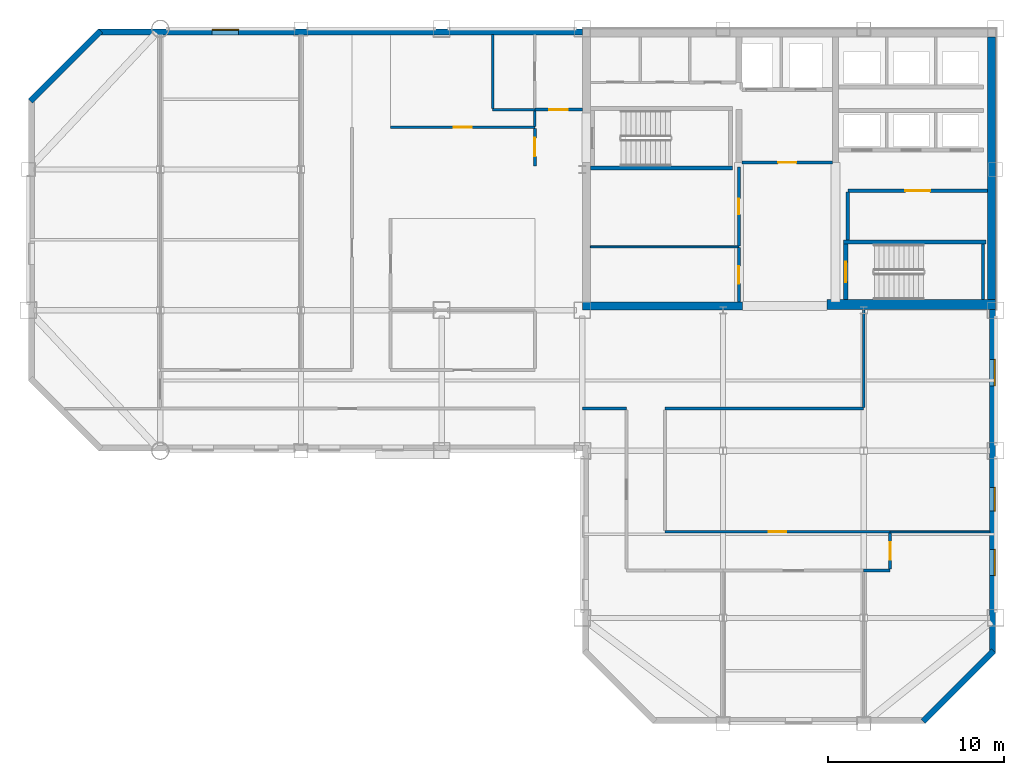
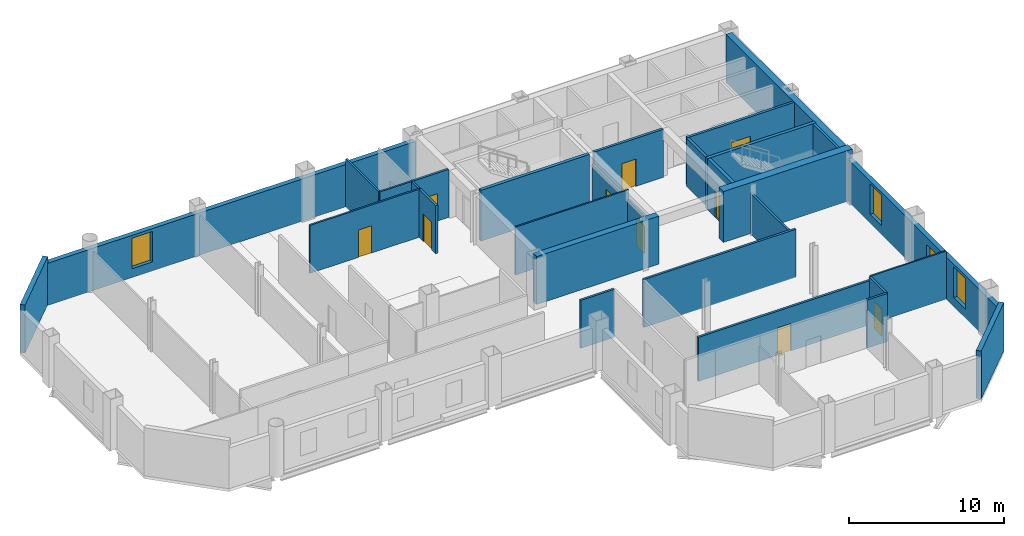
# One storey, part 5 of 9: 30 walls, 10 doors, 4 windows, 14 openings.
"""IFC4 building model written with IfcOpenShell, lengths in metres."""

from ifc_helpers import new_model, si_unit, direction, frame, frame_2d, origin, place, context, subcontext, project, spatial, rectangle, extrude, material, layer, layer_set, type_object, element, fill, save


model = new_model("IFC4")

# Units and contexts
model_context = context("Model", 3, precision=1e-05, world=origin(), true_north=direction((0.0, 1.0)))
body_context = subcontext(model_context, "Body", "Model", "MODEL_VIEW")
ifc_project = project(units=[si_unit("LENGTHUNIT", "METRE"), si_unit("AREAUNIT", "SQUARE_METRE"), si_unit("VOLUMEUNIT", "CUBIC_METRE"), si_unit("PLANEANGLEUNIT", "RADIAN"), si_unit("MASSUNIT", "GRAM", prefix="KILO")], contexts=[model_context])

# Site, building, storey
site_placement = place(None, origin())
site = spatial("IfcSite", under=ifc_project, at=site_placement, CompositionType="ELEMENT")
building_placement = place(site_placement, origin())
building = spatial("IfcBuilding", under=site, at=building_placement, Name="Qianrong Seaharbour Tower", CompositionType="ELEMENT")
storey_placement = place(building_placement, frame((0.0, 0.0, 221.800048828125)))
storey = spatial("IfcBuildingStorey", under=building, at=storey_placement, Name="L53", CompositionType="ELEMENT", Elevation=221.800048828125)

# Walls
ifc_material_1 = material(Name="Concrete C60/75", Category="concrete")
ifc_layer_1 = layer(ifc_material_1, 0.4599609375)
ifc_layer_set_1 = layer_set([ifc_layer_1], Name="Concrete C60/75")
wall_type_1 = type_object("IfcWallType", Name="WALL-CORE-460", PredefinedType="SHEAR", material=ifc_layer_set_1)
wall_1_placement = place(storey_placement, frame((63.77001953125, 36.320068359375, 0.0), z_axis=(0.0, 0.0, 1.0), x_axis=(0.0, 1.0, 0.0)))
element("IfcWall", 1, at=wall_1_placement, inside=storey, type_object=wall_type_1, Name="L53 East Core Shear Wall", PredefinedType="SHEAR", context=body_context, shape_type="SweptSolid", body=[
    extrude(rectangle(XDim=15.219970703125, YDim=0.4599609375, at=frame_2d((7.60986328125, 0.0))), origin(), (0.0, 0.0, 1.0), 3.77490234375),
])
wall_2_placement = place(storey_placement, frame((40.5, 36.22998046875, 0.0), z_axis=(0.0, 0.0, 1.0), x_axis=(1.0, 0.0, 0.0)))
element("IfcWall", 2, at=wall_2_placement, inside=storey, type_object=wall_type_1, Name="L53 South Core Shear Wall S1", PredefinedType="SHEAR", context=body_context, shape_type="SweptSolid", body=[
    extrude(rectangle(XDim=9.10009765625, YDim=0.4599609375, at=frame_2d((4.550048828125, 0.0))), origin(), (0.0, 0.0, 1.0), 3.77490234375),
])
ifc_material_2 = material(Name="Concrete C70/85", Category="concrete")
ifc_layer_2 = layer(ifc_material_2, 0.580078125)
ifc_layer_set_2 = layer_set([ifc_layer_2], Name="Concrete C70/85")
wall_type_2 = type_object("IfcWallType", Name="WALL-CORE-580", PredefinedType="SHEAR", material=ifc_layer_set_2)
wall_3_placement = place(storey_placement, frame((54.39990234375, 36.320068359375, 0.0), z_axis=(0.0, 0.0, 1.0), x_axis=(1.0, 0.0, 0.0)))
element("IfcWall", 3, at=wall_3_placement, inside=storey, type_object=wall_type_2, Name="L53 South Core Shear Wall S3", PredefinedType="SHEAR", context=body_context, shape_type="SweptSolid", body=[
    extrude(rectangle(XDim=9.60009765625, YDim=0.580078125, at=frame_2d((4.800048828125, 0.0))), origin(), (0.0, 0.0, 1.0), 4.0),
])

# Wall, opening, door
ifc_material_3 = material(Name="Fire-rated acoustic gypsum board partition")
ifc_layer_3 = layer(ifc_material_3, 0.1650390625)
ifc_layer_set_3 = layer_set([ifc_layer_3], Name="Fire-rated acoustic gypsum board partition")
wall_type_3 = type_object("IfcWallType", Name="WALL-CORR-PART-165", PredefinedType="PARTITIONING", material=ifc_layer_set_3)
wall_4_placement = place(storey_placement, frame((37.800048828125, 47.39990234375, 0.0), z_axis=(0.0, 0.0, 1.0), x_axis=(1.0, 0.0, 0.0)))
wall_4 = element("IfcWall", 4, at=wall_4_placement, inside=storey, type_object=wall_type_3, Name="L53 Interior Partition Wall 001", PredefinedType="PARTITIONING", context=body_context, shape_type="SweptSolid", body=[
    extrude(rectangle(XDim=2.699951171875, YDim=0.1650390625, at=frame_2d((1.35009765625, 0.0))), origin(), (0.0, 0.0, 1.0), 3.77490234375),
])
opening_1_placement = place(wall_4_placement, frame((0.824951171875, 0.0, 0.0)))
opening_1 = element("IfcOpeningElement", 5, at=opening_1_placement, cuts=wall_4, Name="Opening DC-01", PredefinedType="OPENING", context=body_context, shape_type="SweptSolid", body=[
    extrude(rectangle(XDim=1.050048828125, YDim=2.14990234375, at=frame_2d((0.52490234375, 1.074951171875))), frame((0.0, 0.092529296875, 0.0), z_axis=(0.0, -1.0, 0.0), x_axis=(1.0, 0.0, 0.0)), (0.0, 0.0, 1.0), 0.18505859375),
])
ifc_material_4 = material(Name="Acoustic timber and galvanized steel fire door assembly", Category="steel")
door_type_1 = type_object("IfcDoorType", Name="DOOR-CORR-FD60-1050x2150", OperationType="NOTDEFINED", PredefinedType="DOOR", material=ifc_material_4)
door_1_placement = place(opening_1_placement, origin())
door_1 = element("IfcDoor", 6, at=door_1_placement, inside=storey, type_object=door_type_1, Name="L53 Smokeproof Stair Vestibule ST-1 Door", OperationType="SINGLE_SWING_LEFT", OverallHeight=2.14990234375, OverallWidth=1.050048828125, PredefinedType="DOOR", context=body_context, shape_type="SweptSolid", body=[
    extrude(rectangle(XDim=1.050048828125, YDim=2.14990234375, at=frame_2d((0.52490234375, 1.074951171875))), frame((0.0, 0.02490234375, 0.0), z_axis=(0.0, -1.0, 0.0), x_axis=(1.0, 0.0, 0.0)), (0.0, 0.0, 1.0), 0.050048828125),
])
fill(opening_1, door_1)

wall_5_placement = place(storey_placement, frame((37.800048828125, 44.199951171875, 0.0), z_axis=(0.0, 0.0, 1.0), x_axis=(0.0, 1.0, 0.0)))
wall_5 = element("IfcWall", 7, at=wall_5_placement, inside=storey, type_object=wall_type_3, Name="L53 Interior Partition Wall 002", PredefinedType="PARTITIONING", context=body_context, shape_type="SweptSolid", body=[
    extrude(rectangle(XDim=2.14306640625, YDim=0.1650390625, at=frame_2d((1.071533203125, 0.0))), origin(), (0.0, 0.0, 1.0), 3.77490234375),
])
opening_2_placement = place(wall_5_placement, frame((0.54638671875, 0.0, 0.0)))
opening_2 = element("IfcOpeningElement", 8, at=opening_2_placement, cuts=wall_5, Name="Opening DC-01", PredefinedType="OPENING", context=body_context, shape_type="SweptSolid", body=[
    extrude(rectangle(XDim=1.050048828125, YDim=2.14990234375, at=frame_2d((0.52490234375, 1.074951171875))), frame((0.0, 0.092529296875, 0.0), z_axis=(0.0, -1.0, 0.0), x_axis=(1.0, 0.0, 0.0)), (0.0, 0.0, 1.0), 0.18505859375),
])
door_2_placement = place(opening_2_placement, origin())
door_2 = element("IfcDoor", 9, at=door_2_placement, inside=storey, type_object=door_type_1, Name="L53 Smokeproof Stair Vestibule ST-1 Door", OperationType="SINGLE_SWING_RIGHT", OverallHeight=2.14990234375, OverallWidth=1.050048828125, PredefinedType="DOOR", context=body_context, shape_type="SweptSolid", body=[
    extrude(rectangle(XDim=1.050048828125, YDim=2.14990234375, at=frame_2d((0.52490234375, 1.074951171875))), frame((0.0, 0.02490234375, 0.0), z_axis=(0.0, -1.0, 0.0), x_axis=(1.0, 0.0, 0.0)), (0.0, 0.0, 1.0), 0.050048828125),
])
fill(opening_2, door_2)

wall_6_placement = place(storey_placement, frame((49.39990234375, 36.4599609375, 0.0), z_axis=(0.0, 0.0, 1.0), x_axis=(0.0, 1.0, 0.0)))
wall_6 = element("IfcWall", 10, at=wall_6_placement, inside=storey, type_object=wall_type_3, Name="L53 Interior Partition Wall 011", PredefinedType="PARTITIONING", context=body_context, shape_type="SweptSolid", body=[
    extrude(rectangle(XDim=3.093017578125, YDim=0.1650390625, at=frame_2d((1.54638671875, 0.0))), origin(), (0.0, 0.0, 1.0), 3.016845703125),
])
opening_3_placement = place(wall_6_placement, frame((1.04638671875, 0.0, 0.0)))
opening_3 = element("IfcOpeningElement", 11, at=opening_3_placement, cuts=wall_6, Name="Opening DO-01", PredefinedType="OPENING", context=body_context, shape_type="SweptSolid", body=[
    extrude(rectangle(XDim=1.0, YDim=2.14990234375, at=frame_2d((0.5, 1.074951171875))), frame((0.0, 0.092529296875, 0.0), z_axis=(0.0, -1.0, 0.0), x_axis=(1.0, 0.0, 0.0)), (0.0, 0.0, 1.0), 0.18505859375),
])
door_type_2 = type_object("IfcDoorType", Name="DOOR-OFFICE-1000x2150", OperationType="NOTDEFINED", PredefinedType="DOOR", material=ifc_material_4)
door_3_placement = place(opening_3_placement, origin())
door_3 = element("IfcDoor", 12, at=door_3_placement, inside=storey, type_object=door_type_2, Name="L53 Wellness Room Door", OperationType="SINGLE_SWING_LEFT", OverallHeight=2.14990234375, OverallWidth=1.0, PredefinedType="DOOR", context=body_context, shape_type="SweptSolid", body=[
    extrude(rectangle(XDim=1.0, YDim=2.14990234375, at=frame_2d((0.5, 1.074951171875))), frame((0.0, 0.02490234375, 0.0), z_axis=(0.0, -1.0, 0.0), x_axis=(1.0, 0.0, 0.0)), (0.0, 0.0, 1.0), 0.050048828125),
])
fill(opening_3, door_3)

wall_7_placement = place(storey_placement, frame((49.39990234375, 39.64697265625, 0.0), z_axis=(0.0, 0.0, 1.0), x_axis=(0.0, 1.0, 0.0)))
wall_7 = element("IfcWall", 13, at=wall_7_placement, inside=storey, type_object=wall_type_3, Name="L53 Interior Partition Wall 012", PredefinedType="PARTITIONING", context=body_context, shape_type="SweptSolid", body=[
    extrude(rectangle(XDim=4.5029296875, YDim=0.1650390625, at=frame_2d((2.25146484375, 0.0))), origin(), (0.0, 0.0, 1.0), 3.016845703125),
])
opening_4_placement = place(wall_7_placement, frame((1.801513671875, 0.0, 0.0)))
opening_4 = element("IfcOpeningElement", 14, at=opening_4_placement, cuts=wall_7, Name="Opening DS-01", PredefinedType="OPENING", context=body_context, shape_type="SweptSolid", body=[
    extrude(rectangle(XDim=0.89990234375, YDim=2.14990234375, at=frame_2d((0.449951171875, 1.074951171875))), frame((0.0, 0.092529296875, 0.0), z_axis=(0.0, -1.0, 0.0), x_axis=(1.0, 0.0, 0.0)), (0.0, 0.0, 1.0), 0.18505859375),
])
door_type_3 = type_object("IfcDoorType", Name="DOOR-STORE-900x2150", OperationType="NOTDEFINED", PredefinedType="DOOR", material=ifc_material_4)
door_4_placement = place(opening_4_placement, origin())
door_4 = element("IfcDoor", 15, at=door_4_placement, inside=storey, type_object=door_type_3, Name="L53 Equipment Store Room Door", OperationType="SINGLE_SWING_RIGHT", OverallHeight=2.14990234375, OverallWidth=0.89990234375, PredefinedType="DOOR", context=body_context, shape_type="SweptSolid", body=[
    extrude(rectangle(XDim=0.89990234375, YDim=2.14990234375, at=frame_2d((0.449951171875, 1.074951171875))), frame((0.0, 0.02490234375, 0.0), z_axis=(0.0, -1.0, 0.0), x_axis=(1.0, 0.0, 0.0)), (0.0, 0.0, 1.0), 0.050048828125),
])
fill(opening_4, door_4)

# Walls
wall_8_placement = place(storey_placement, frame((56.5, 36.0, 0.0), z_axis=(0.0, 0.0, 1.0), x_axis=(0.0, -1.0, 0.0)))
element("IfcWall", 16, at=wall_8_placement, inside=storey, type_object=wall_type_3, Name="L53 Interior Partition Wall 027", PredefinedType="PARTITIONING", context=body_context, shape_type="SweptSolid", body=[
    extrude(rectangle(XDim=5.525390625, YDim=0.1650390625, at=frame_2d((2.7626953125, 0.0))), origin(), (0.0, 0.0, 1.0), 3.178955078125),
])
wall_9_placement = place(storey_placement, frame((56.5, 30.39990234375, 0.0), z_axis=(0.0, 0.0, 1.0), x_axis=(-1.0, 0.0, 0.0)))
element("IfcWall", 17, at=wall_9_placement, inside=storey, type_object=wall_type_3, Name="L53 Interior Partition Wall 028", PredefinedType="PARTITIONING", context=body_context, shape_type="SweptSolid", body=[
    extrude(rectangle(XDim=11.300048828125, YDim=0.1650390625, at=frame_2d((5.64990234375, 0.0))), origin(), (0.0, 0.0, 1.0), 3.77490234375),
])
wall_10_placement = place(storey_placement, frame((43.0, 30.39990234375, 0.0), z_axis=(0.0, 0.0, 1.0), x_axis=(-1.0, 0.0, 0.0)))
element("IfcWall", 18, at=wall_10_placement, inside=storey, type_object=wall_type_3, Name="L53 Interior Partition Wall 030", PredefinedType="PARTITIONING", context=body_context, shape_type="SweptSolid", body=[
    extrude(rectangle(XDim=2.5, YDim=0.1650390625, at=frame_2d((1.25, 0.0))), origin(), (0.0, 0.0, 1.0), 3.77490234375),
])

# Wall, opening, door
wall_11_placement = place(storey_placement, frame((45.199951171875, 23.39990234375, 0.0), z_axis=(0.0, 0.0, 1.0), x_axis=(1.0, 0.0, 0.0)))
wall_11 = element("IfcWall", 19, at=wall_11_placement, inside=storey, type_object=wall_type_3, Name="L53 Interior Partition Wall 034", PredefinedType="PARTITIONING", context=body_context, shape_type="SweptSolid", body=[
    extrude(rectangle(XDim=12.800048828125, YDim=0.1650390625, at=frame_2d((6.39990234375, 0.0))), origin(), (0.0, 0.0, 1.0), 3.467041015625),
])
opening_5_placement = place(wall_11_placement, frame((5.89990234375, 0.0, 0.0)))
opening_5 = element("IfcOpeningElement", 20, at=opening_5_placement, cuts=wall_11, Name="Opening DO-01", PredefinedType="OPENING", context=body_context, shape_type="SweptSolid", body=[
    extrude(rectangle(XDim=1.0, YDim=2.14990234375, at=frame_2d((0.5, 1.074951171875))), frame((0.0, 0.092529296875, 0.0), z_axis=(0.0, -1.0, 0.0), x_axis=(1.0, 0.0, 0.0)), (0.0, 0.0, 1.0), 0.18505859375),
])
door_5_placement = place(opening_5_placement, origin())
door_5 = element("IfcDoor", 21, at=door_5_placement, inside=storey, type_object=door_type_2, Name="L53 South Wing Open-Plan Office Door", OperationType="SINGLE_SWING_RIGHT", OverallHeight=2.14990234375, OverallWidth=1.0, PredefinedType="DOOR", context=body_context, shape_type="SweptSolid", body=[
    extrude(rectangle(XDim=1.0, YDim=2.14990234375, at=frame_2d((0.5, 1.074951171875))), frame((0.0, 0.02490234375, 0.0), z_axis=(0.0, -1.0, 0.0), x_axis=(1.0, 0.0, 0.0)), (0.0, 0.0, 1.0), 0.050048828125),
])
fill(opening_5, door_5)

wall_12_placement = place(storey_placement, frame((58.0, 23.325439453125, 0.0), z_axis=(0.0, 0.0, 1.0), x_axis=(0.0, -1.0, 0.0)))
wall_12 = element("IfcWall", 22, at=wall_12_placement, inside=storey, type_object=wall_type_3, Name="L53 Interior Partition Wall 037", PredefinedType="PARTITIONING", context=body_context, shape_type="SweptSolid", body=[
    extrude(rectangle(XDim=2.051025390625, YDim=0.1650390625, at=frame_2d((1.025390625, 0.0))), origin(), (0.0, 0.0, 1.0), 3.77490234375),
])
opening_6_placement = place(wall_12_placement, frame((0.525390625, 0.0, 0.0)))
opening_6 = element("IfcOpeningElement", 23, at=opening_6_placement, cuts=wall_12, Name="Opening DO-01", PredefinedType="OPENING", context=body_context, shape_type="SweptSolid", body=[
    extrude(rectangle(XDim=1.0, YDim=2.14990234375, at=frame_2d((0.5, 1.074951171875))), frame((0.0, 0.092529296875, 0.0), z_axis=(0.0, -1.0, 0.0), x_axis=(1.0, 0.0, 0.0)), (0.0, 0.0, 1.0), 0.18505859375),
])
door_6_placement = place(opening_6_placement, origin())
door_6 = element("IfcDoor", 24, at=door_6_placement, inside=storey, type_object=door_type_2, Name="L53 Standards Library 3 Door", OperationType="SINGLE_SWING_RIGHT", OverallHeight=2.14990234375, OverallWidth=1.0, PredefinedType="DOOR", context=body_context, shape_type="SweptSolid", body=[
    extrude(rectangle(XDim=1.0, YDim=2.14990234375, at=frame_2d((0.5, 1.074951171875))), frame((0.0, 0.02490234375, 0.0), z_axis=(0.0, -1.0, 0.0), x_axis=(1.0, 0.0, 0.0)), (0.0, 0.0, 1.0), 0.050048828125),
])
fill(opening_6, door_6)

# Walls
wall_13_placement = place(storey_placement, frame((58.0, 21.199951171875, 0.0), z_axis=(0.0, 0.0, 1.0), x_axis=(-1.0, 0.0, 0.0)))
element("IfcWall", 25, at=wall_13_placement, inside=storey, type_object=wall_type_3, Name="L53 Interior Partition Wall 038", PredefinedType="PARTITIONING", context=body_context, shape_type="SweptSolid", body=[
    extrude(rectangle(XDim=1.5, YDim=0.1650390625, at=frame_2d((0.75, 0.0))), origin(), (0.0, 0.0, 1.0), 3.77490234375),
])
ifc_material_5 = material(Name="Demountable aluminium-framed acoustic office partition", Category="aluminium")
ifc_layer_4 = layer(ifc_material_5, 0.110107421875)
ifc_layer_set_4 = layer_set([ifc_layer_4], Name="Demountable aluminium-framed acoustic office partition")
wall_type_4 = type_object("IfcWallType", Name="WALL-DEMOUNT-110", PredefinedType="MOVABLE", material=ifc_layer_set_4)
wall_14_placement = place(storey_placement, frame((40.9599609375, 39.60009765625, 0.0), z_axis=(0.0, 0.0, 1.0), x_axis=(1.0, 0.0, 0.0)))
element("IfcWall", 26, at=wall_14_placement, inside=storey, type_object=wall_type_4, Name="L53 Interior Partition Wall 014", PredefinedType="MOVABLE", context=body_context, shape_type="SweptSolid", body=[
    extrude(rectangle(XDim=8.43994140625, YDim=0.110107421875, at=frame_2d((4.219970703125, 0.0))), origin(), (0.0, 0.0, 1.0), 3.77490234375),
])
wall_15_placement = place(storey_placement, frame((63.66796875, 23.39990234375, 0.0), z_axis=(0.0, 0.0, 1.0), x_axis=(-1.0, 0.0, 0.0)))
element("IfcWall", 27, at=wall_15_placement, inside=storey, type_object=wall_type_4, Name="L53 Interior Partition Wall 039", PredefinedType="MOVABLE", context=body_context, shape_type="SweptSolid", body=[
    extrude(rectangle(XDim=5.66796875, YDim=0.110107421875, at=frame_2d((2.833984375, 0.0))), origin(), (0.0, 0.0, 1.0), 3.77490234375),
])
ifc_material_6 = material(Name="Unitised buff brick on Precast concrete C45/55", Category="masonry")
ifc_layer_5 = layer(ifc_material_6, 0.340087890625)
ifc_layer_set_5 = layer_set([ifc_layer_5], Name="Unitised buff brick on Precast concrete C45/55")
wall_type_5 = type_object("IfcWallType", Name="WALL-EXT-BRICK-BUFF-340", PredefinedType="SOLIDWALL", material=ifc_layer_set_5)
wall_16_placement = place(storey_placement, frame((9.1201171875, 47.8798828125, 0.0), z_axis=(0.0, 0.0, 1.0), x_axis=(0.707106781187, 0.707106781187, 0.0)))
element("IfcWall", 28, at=wall_16_placement, inside=storey, type_object=wall_type_5, Name="L53 Exterior Masonry Facade Wall E04", PredefinedType="SOLIDWALL", context=body_context, shape_type="SweptSolid", body=[
    extrude(rectangle(XDim=5.65673828125, YDim=0.340087890625, at=frame_2d((2.828369140625, 0.0))), origin(), (0.0, 0.0, 1.0), 3.77490234375),
])

# Wall, opening, window
wall_17_placement = place(storey_placement, frame((13.0, 51.830078125, 0.0), z_axis=(0.0, 0.0, 1.0), x_axis=(1.0, 0.0, 0.0)))
wall_17 = element("IfcWall", 29, at=wall_17_placement, inside=storey, type_object=wall_type_5, Name="L53 Exterior Masonry Facade Wall NORTH_WING", PredefinedType="SOLIDWALL", context=body_context, shape_type="SweptSolid", body=[
    extrude(rectangle(XDim=27.52001953125, YDim=0.340087890625, at=frame_2d((13.760009765625, 0.0))), origin(), (0.0, 0.0, 1.0), 3.324951171875),
])
opening_7_placement = place(wall_17_placement, frame((6.449951171875, 0.0, 0.699951171875)))
opening_7 = element("IfcOpeningElement", 30, at=opening_7_placement, cuts=wall_17, Name="Opening WN-08", PredefinedType="OPENING", context=body_context, shape_type="SweptSolid", body=[
    extrude(rectangle(XDim=1.5, YDim=2.39990234375, at=frame_2d((0.75, 1.199951171875))), frame((0.0, 0.18017578125, 0.0), z_axis=(0.0, -1.0, 0.0), x_axis=(1.0, 0.0, 0.0)), (0.0, 0.0, 1.0), 0.360107421875),
])
ifc_material_7 = material(Name="Insulated low-e double glazing in thermally broken aluminium 6063-T6 frame", Category="aluminium")
window_type_1 = type_object("IfcWindowType", Name="WIN-PUNCH-1500x2400", PartitioningType="DOUBLE_PANEL_HORIZONTAL", PredefinedType="WINDOW", material=ifc_material_7)
window_1_placement = place(opening_7_placement, origin())
window_1 = element("IfcWindow", 31, at=window_1_placement, inside=storey, type_object=window_type_1, Name="L53 Deep-Set Punched Window 05.02", OverallHeight=2.39990234375, OverallWidth=1.5, PartitioningType="DOUBLE_PANEL_HORIZONTAL", PredefinedType="WINDOW", context=body_context, shape_type="SweptSolid", body=[
    extrude(rectangle(XDim=1.5, YDim=2.39990234375, at=frame_2d((0.75, 1.199951171875))), frame((0.0, 0.150146484375, 0.0), z_axis=(0.0, -1.0, 0.0), x_axis=(1.0, 0.0, 0.0)), (0.0, 0.0, 1.0), 0.06005859375),
])
fill(opening_7, window_1)

# Wall, openings, windows
wall_18_placement = place(storey_placement, frame((63.830078125, 36.050048828125, 0.0), z_axis=(0.0, 0.0, 1.0), x_axis=(0.0, -1.0, 0.0)))
wall_18 = element("IfcWall", 32, at=wall_18_placement, inside=storey, type_object=wall_type_5, Name="L53 Exterior Masonry Facade Wall EAST_WING", PredefinedType="SOLIDWALL", context=body_context, shape_type="SweptSolid", body=[
    extrude(rectangle(XDim=19.550048828125, YDim=0.340087890625, at=frame_2d((9.77490234375, 0.0))), origin(), (0.0, 0.0, 1.0), 3.324951171875),
])
opening_8_placement = place(wall_18_placement, frame((2.85009765625, 0.0, 0.699951171875)))
opening_8 = element("IfcOpeningElement", 33, at=opening_8_placement, cuts=wall_18, Name="Opening WN-08", PredefinedType="OPENING", context=body_context, shape_type="SweptSolid", body=[
    extrude(rectangle(XDim=1.5, YDim=2.39990234375, at=frame_2d((0.75, 1.199951171875))), frame((0.0, 0.18017578125, 0.0), z_axis=(0.0, -1.0, 0.0), x_axis=(1.0, 0.0, 0.0)), (0.0, 0.0, 1.0), 0.360107421875),
])
opening_9_placement = place(wall_18_placement, frame((10.125, 0.0, 0.89990234375)))
opening_9 = element("IfcOpeningElement", 34, at=opening_9_placement, cuts=wall_18, Name="Opening WN-02", PredefinedType="OPENING", context=body_context, shape_type="SweptSolid", body=[
    extrude(rectangle(XDim=1.35009765625, YDim=1.85009765625, at=frame_2d((0.675048828125, 0.925048828125))), frame((0.0, 0.18017578125, 0.0), z_axis=(0.0, -1.0, 0.0), x_axis=(1.0, 0.0, 0.0)), (0.0, 0.0, 1.0), 0.360107421875),
])
opening_10_placement = place(wall_18_placement, frame((13.64990234375, 0.0, 0.699951171875)))
opening_10 = element("IfcOpeningElement", 35, at=opening_10_placement, cuts=wall_18, Name="Opening WN-08", PredefinedType="OPENING", context=body_context, shape_type="SweptSolid", body=[
    extrude(rectangle(XDim=1.5, YDim=2.39990234375, at=frame_2d((0.75, 1.199951171875))), frame((0.0, 0.18017578125, 0.0), z_axis=(0.0, -1.0, 0.0), x_axis=(1.0, 0.0, 0.0)), (0.0, 0.0, 1.0), 0.360107421875),
])
window_type_2 = type_object("IfcWindowType", Name="WIN-PUNCH-1350x1850", PartitioningType="DOUBLE_PANEL_VERTICAL", PredefinedType="WINDOW", material=ifc_material_7)
window_2_placement = place(opening_9_placement, origin())
window_2 = element("IfcWindow", 36, at=window_2_placement, inside=storey, type_object=window_type_2, Name="L53 Deep-Set Punched Window 06.03", OverallHeight=1.85009765625, OverallWidth=1.35009765625, PartitioningType="DOUBLE_PANEL_VERTICAL", PredefinedType="WINDOW", context=body_context, shape_type="SweptSolid", body=[
    extrude(rectangle(XDim=1.35009765625, YDim=1.85009765625, at=frame_2d((0.675048828125, 0.925048828125))), frame((0.0, 0.150146484375, 0.0), z_axis=(0.0, -1.0, 0.0), x_axis=(1.0, 0.0, 0.0)), (0.0, 0.0, 1.0), 0.06005859375),
])
fill(opening_9, window_2)
window_3_placement = place(opening_8_placement, origin())
window_3 = element("IfcWindow", 37, at=window_3_placement, inside=storey, type_object=window_type_1, Name="L53 Deep-Set Punched Window 06.01", OverallHeight=2.39990234375, OverallWidth=1.5, PartitioningType="DOUBLE_PANEL_HORIZONTAL", PredefinedType="WINDOW", context=body_context, shape_type="SweptSolid", body=[
    extrude(rectangle(XDim=1.5, YDim=2.39990234375, at=frame_2d((0.75, 1.199951171875))), frame((0.0, 0.150146484375, 0.0), z_axis=(0.0, -1.0, 0.0), x_axis=(1.0, 0.0, 0.0)), (0.0, 0.0, 1.0), 0.06005859375),
])
fill(opening_8, window_3)
window_4_placement = place(opening_10_placement, origin())
window_4 = element("IfcWindow", 38, at=window_4_placement, inside=storey, type_object=window_type_1, Name="L53 Deep-Set Punched Window 06.04", OverallHeight=2.39990234375, OverallWidth=1.5, PartitioningType="DOUBLE_PANEL_HORIZONTAL", PredefinedType="WINDOW", context=body_context, shape_type="SweptSolid", body=[
    extrude(rectangle(XDim=1.5, YDim=2.39990234375, at=frame_2d((0.75, 1.199951171875))), frame((0.0, 0.150146484375, 0.0), z_axis=(0.0, -1.0, 0.0), x_axis=(1.0, 0.0, 0.0)), (0.0, 0.0, 1.0), 0.06005859375),
])
fill(opening_10, window_4)

# Wall
wall_19_placement = place(storey_placement, frame((63.8798828125, 16.6201171875, 0.0), z_axis=(0.0, 0.0, 1.0), x_axis=(-0.707106781187, -0.707106781187, 0.0)))
element("IfcWall", 39, at=wall_19_placement, inside=storey, type_object=wall_type_5, Name="L53 Exterior Masonry Facade Wall E07", PredefinedType="SOLIDWALL", context=body_context, shape_type="SweptSolid", body=[
    extrude(rectangle(XDim=5.65673828125, YDim=0.340087890625, at=frame_2d((2.828369140625, 0.0))), origin(), (0.0, 0.0, 1.0), 3.77490234375),
])

# Wall, opening, door
ifc_material_8 = material(Name="Double fire-rated gypsum board acoustic partition")
ifc_layer_6 = layer(ifc_material_8, 0.18994140625)
ifc_layer_set_6 = layer_set([ifc_layer_6], Name="Double fire-rated gypsum board acoustic partition")
wall_type_6 = type_object("IfcWallType", Name="WALL-FIRE-PART-190", PredefinedType="PARTITIONING", material=ifc_layer_set_6)
wall_20_placement = place(storey_placement, frame((54.73291015625, 44.39990234375, 0.0), z_axis=(0.0, 0.0, 1.0), x_axis=(-1.0, 0.0, 0.0)))
wall_20 = element("IfcWall", 40, at=wall_20_placement, inside=storey, type_object=wall_type_6, Name="L53 Interior Partition Wall 010", PredefinedType="PARTITIONING", context=body_context, shape_type="SweptSolid", body=[
    extrude(rectangle(XDim=5.166015625, YDim=0.18994140625, at=frame_2d((2.5830078125, 0.0))), origin(), (0.0, 0.0, 1.0), 3.77490234375),
])
opening_11_placement = place(wall_20_placement, frame((2.05810546875, 0.0, 0.0)))
opening_11 = element("IfcOpeningElement", 41, at=opening_11_placement, cuts=wall_20, Name="Opening DC-01", PredefinedType="OPENING", context=body_context, shape_type="SweptSolid", body=[
    extrude(rectangle(XDim=1.050048828125, YDim=2.14990234375, at=frame_2d((0.52490234375, 1.074951171875))), frame((0.0, 0.10498046875, 0.0), z_axis=(0.0, -1.0, 0.0), x_axis=(1.0, 0.0, 0.0)), (0.0, 0.0, 1.0), 0.2099609375),
])
door_7_placement = place(opening_11_placement, origin())
door_7 = element("IfcDoor", 42, at=door_7_placement, inside=storey, type_object=door_type_1, Name="L53 Firefighting Lift Lobby Door", OperationType="SINGLE_SWING_RIGHT", OverallHeight=2.14990234375, OverallWidth=1.050048828125, PredefinedType="DOOR", context=body_context, shape_type="SweptSolid", body=[
    extrude(rectangle(XDim=1.050048828125, YDim=2.14990234375, at=frame_2d((0.52490234375, 1.074951171875))), frame((0.0, 0.02490234375, 0.0), z_axis=(0.0, -1.0, 0.0), x_axis=(1.0, 0.0, 0.0)), (0.0, 0.0, 1.0), 0.050048828125),
])
fill(opening_11, door_7)

# Wall
wall_21_placement = place(storey_placement, frame((55.60009765625, 42.712890625, 0.0), z_axis=(0.0, 0.0, 1.0), x_axis=(0.0, -1.0, 0.0)))
element("IfcWall", 43, at=wall_21_placement, inside=storey, type_object=wall_type_6, Name="L53 Interior Partition Wall 013", PredefinedType="PARTITIONING", context=body_context, shape_type="SweptSolid", body=[
    extrude(rectangle(XDim=2.73095703125, YDim=0.18994140625, at=frame_2d((1.365478515625, 0.0))), origin(), (0.0, 0.0, 1.0), 3.77490234375),
])

# Wall, opening, door
wall_22_placement = place(storey_placement, frame((63.5400390625, 42.800048828125, 0.0), z_axis=(0.0, 0.0, 1.0), x_axis=(-1.0, 0.0, 0.0)))
wall_22 = element("IfcWall", 44, at=wall_22_placement, inside=storey, type_object=wall_type_6, Name="L53 Interior Partition Wall 015", PredefinedType="PARTITIONING", context=body_context, shape_type="SweptSolid", body=[
    extrude(rectangle(XDim=7.93994140625, YDim=0.18994140625, at=frame_2d((3.969970703125, 0.0))), origin(), (0.0, 0.0, 1.0), 3.77490234375),
])
opening_12_placement = place(wall_22_placement, frame((3.27001953125, 0.0, 0.0)))
opening_12 = element("IfcOpeningElement", 45, at=opening_12_placement, cuts=wall_22, Name="Opening DP-01", PredefinedType="OPENING", context=body_context, shape_type="SweptSolid", body=[
    extrude(rectangle(XDim=1.39990234375, YDim=2.25, at=frame_2d((0.699951171875, 1.125))), frame((0.0, 0.10498046875, 0.0), z_axis=(0.0, -1.0, 0.0), x_axis=(1.0, 0.0, 0.0)), (0.0, 0.0, 1.0), 0.2099609375),
])
door_type_4 = type_object("IfcDoorType", Name="DOOR-PLANT-PAIR-1400x2250", OperationType="DOUBLE_DOOR_SINGLE_SWING", PredefinedType="DOOR", material=ifc_material_4)
door_8_placement = place(opening_12_placement, origin())
door_8 = element("IfcDoor", 46, at=door_8_placement, inside=storey, type_object=door_type_4, Name="L53 Core Telecom Hub Room Door", OperationType="DOUBLE_DOOR_SINGLE_SWING", OverallHeight=2.25, OverallWidth=1.39990234375, PredefinedType="DOOR", context=body_context, shape_type="SweptSolid", body=[
    extrude(rectangle(XDim=1.39990234375, YDim=2.25, at=frame_2d((0.699951171875, 1.125))), frame((0.0, 0.02490234375, 0.0), z_axis=(0.0, -1.0, 0.0), x_axis=(1.0, 0.0, 0.0)), (0.0, 0.0, 1.0), 0.050048828125),
])
fill(opening_12, door_8)

# Walls
ifc_material_9 = material(Name="Concrete C50/60", Category="concrete")
ifc_layer_7 = layer(ifc_material_9, 0.239990234375)
ifc_layer_set_7 = layer_set([ifc_layer_7], Name="Concrete C50/60")
wall_type_7 = type_object("IfcWallType", Name="WALL-SHAFT-RC240", PredefinedType="SOLIDWALL", material=ifc_layer_set_7)
wall_23_placement = place(storey_placement, frame((49.0400390625, 44.080078125, 0.0), z_axis=(0.0, 0.0, 1.0), x_axis=(-1.0, 0.0, 0.0)))
element("IfcWall", 47, at=wall_23_placement, inside=storey, type_object=wall_type_7, Name="L53 ST-1 Structural Stair Core Wall S", PredefinedType="SOLIDWALL", context=body_context, shape_type="SweptSolid", body=[
    extrude(rectangle(XDim=8.080078125, YDim=0.239990234375, at=frame_2d((4.0400390625, 0.0))), origin(), (0.0, 0.0, 1.0), 4.0),
])
wall_24_placement = place(storey_placement, frame((55.360107421875, 39.8701171875, 0.0), z_axis=(0.0, 0.0, 1.0), x_axis=(1.0, 0.0, 0.0)))
element("IfcWall", 48, at=wall_24_placement, inside=storey, type_object=wall_type_7, Name="L53 ST-2 Structural Stair Core Wall N", PredefinedType="SOLIDWALL", context=body_context, shape_type="SweptSolid", body=[
    extrude(rectangle(XDim=8.079833984375, YDim=0.239990234375, at=frame_2d((4.0400390625, 0.0))), origin(), (0.0, 0.0, 1.0), 4.0),
])

# Wall, opening, door
wall_25_placement = place(storey_placement, frame((55.47998046875, 39.75, 0.0), z_axis=(0.0, 0.0, 1.0), x_axis=(0.0, -1.0, 0.0)))
wall_25 = element("IfcWall", 49, at=wall_25_placement, inside=storey, type_object=wall_type_7, Name="L53 ST-2 Structural Stair Core Wall W", PredefinedType="SOLIDWALL", context=body_context, shape_type="SweptSolid", body=[
    extrude(rectangle(XDim=3.14990234375, YDim=0.239990234375, at=frame_2d((1.574951171875, 0.0))), origin(), (0.0, 0.0, 1.0), 4.0),
])
opening_13_placement = place(wall_25_placement, frame((1.0, 0.0, 0.0)))
opening_13 = element("IfcOpeningElement", 50, at=opening_13_placement, cuts=wall_25, Name="Opening SD-01", PredefinedType="OPENING", context=body_context, shape_type="SweptSolid", body=[
    extrude(rectangle(XDim=1.14990234375, YDim=2.199951171875, at=frame_2d((0.574951171875, 1.10009765625))), frame((0.0, 0.1298828125, 0.0), z_axis=(0.0, -1.0, 0.0), x_axis=(1.0, 0.0, 0.0)), (0.0, 0.0, 1.0), 0.260009765625),
])
door_type_5 = type_object("IfcDoorType", Name="DOOR-STAIR-FD60-1150x2200", OperationType="NOTDEFINED", PredefinedType="DOOR", material=ifc_material_4)
door_9_placement = place(opening_13_placement, origin())
door_9 = element("IfcDoor", 51, at=door_9_placement, inside=storey, type_object=door_type_5, Name="L53 ST-2 Protected Stair Door", OperationType="SINGLE_SWING_RIGHT", OverallHeight=2.199951171875, OverallWidth=1.14990234375, PredefinedType="DOOR", context=body_context, shape_type="SweptSolid", body=[
    extrude(rectangle(XDim=1.14990234375, YDim=2.199951171875, at=frame_2d((0.574951171875, 1.10009765625))), frame((0.0, 0.02490234375, 0.0), z_axis=(0.0, -1.0, 0.0), x_axis=(1.0, 0.0, 0.0)), (0.0, 0.0, 1.0), 0.050048828125),
])
fill(opening_13, door_9)

# Walls
wall_26_placement = place(storey_placement, frame((63.2900390625, 36.60009765625, 0.0), z_axis=(0.0, 0.0, 1.0), x_axis=(0.0, 1.0, 0.0)))
element("IfcWall", 52, at=wall_26_placement, inside=storey, type_object=wall_type_7, Name="L53 ST-2 Structural Stair Core Wall E", PredefinedType="SOLIDWALL", context=body_context, shape_type="SweptSolid", body=[
    extrude(rectangle(XDim=3.14990234375, YDim=0.179931640625, at=frame_2d((1.574951171875, 0.0))), origin(), (0.0, 0.0, 1.0), 4.0),
])
ifc_material_10 = material(Name="Water-resistant cement board sanitary partition")
ifc_layer_8 = layer(ifc_material_10, 0.1298828125)
ifc_layer_set_8 = layer_set([ifc_layer_8], Name="Water-resistant cement board sanitary partition")
wall_type_8 = type_object("IfcWallType", Name="WALL-WET-PART-130", PredefinedType="PARTITIONING", material=ifc_layer_set_8)
wall_27_placement = place(storey_placement, frame((37.800048828125, 46.45703125, 0.0), z_axis=(0.0, 0.0, 1.0), x_axis=(0.0, 1.0, 0.0)))
element("IfcWall", 53, at=wall_27_placement, inside=storey, type_object=wall_type_8, Name="L53 Interior Partition Wall 003", PredefinedType="PARTITIONING", context=body_context, shape_type="SweptSolid", body=[
    extrude(rectangle(XDim=0.868408203125, YDim=0.1298828125, at=frame_2d((0.43408203125, 0.0))), origin(), (0.0, 0.0, 1.0), 3.77490234375),
])
wall_28_placement = place(storey_placement, frame((37.800048828125, 47.39990234375, 0.0), z_axis=(0.0, 0.0, 1.0), x_axis=(-1.0, 0.0, 0.0)))
element("IfcWall", 54, at=wall_28_placement, inside=storey, type_object=wall_type_8, Name="L53 Interior Partition Wall 005", PredefinedType="PARTITIONING", context=body_context, shape_type="SweptSolid", body=[
    extrude(rectangle(XDim=2.400146484375, YDim=0.1298828125, at=frame_2d((1.2001953125, 0.0))), origin(), (0.0, 0.0, 1.0), 3.77490234375),
])
wall_29_placement = place(storey_placement, frame((35.39990234375, 47.45703125, 0.0), z_axis=(0.0, 0.0, 1.0), x_axis=(0.0, 1.0, 0.0)))
element("IfcWall", 55, at=wall_29_placement, inside=storey, type_object=wall_type_8, Name="L53 Interior Partition Wall 006", PredefinedType="PARTITIONING", context=body_context, shape_type="SweptSolid", body=[
    extrude(rectangle(XDim=4.2109375, YDim=0.1298828125, at=frame_2d((2.10546875, 0.0))), origin(), (0.0, 0.0, 1.0), 3.77490234375),
])

# Wall, opening, door
wall_30_placement = place(storey_placement, frame((29.60009765625, 46.39990234375, 0.0), z_axis=(0.0, 0.0, 1.0), x_axis=(1.0, 0.0, 0.0)))
wall_30 = element("IfcWall", 56, at=wall_30_placement, inside=storey, type_object=wall_type_8, Name="L53 Interior Partition Wall 026", PredefinedType="PARTITIONING", context=body_context, shape_type="SweptSolid", body=[
    extrude(rectangle(XDim=8.199951171875, YDim=0.1298828125, at=frame_2d((4.10009765625, 0.0))), origin(), (0.0, 0.0, 1.0), 3.77490234375),
])
opening_14_placement = place(wall_30_placement, frame((3.60009765625, 0.0, 0.0)))
opening_14 = element("IfcOpeningElement", 57, at=opening_14_placement, cuts=wall_30, Name="Opening DO-01", PredefinedType="OPENING", context=body_context, shape_type="SweptSolid", body=[
    extrude(rectangle(XDim=1.0, YDim=2.14990234375, at=frame_2d((0.5, 1.074951171875))), frame((0.0, 0.074951171875, 0.0), z_axis=(0.0, -1.0, 0.0), x_axis=(1.0, 0.0, 0.0)), (0.0, 0.0, 1.0), 0.14990234375),
])
door_10_placement = place(opening_14_placement, origin())
door_10 = element("IfcDoor", 58, at=door_10_placement, inside=storey, type_object=door_type_2, Name="L53 Wet Pantry 3 Door", OperationType="SINGLE_SWING_LEFT", OverallHeight=2.14990234375, OverallWidth=1.0, PredefinedType="DOOR", context=body_context, shape_type="SweptSolid", body=[
    extrude(rectangle(XDim=1.0, YDim=2.14990234375, at=frame_2d((0.5, 1.074951171875))), frame((0.0, 0.02490234375, 0.0), z_axis=(0.0, -1.0, 0.0), x_axis=(1.0, 0.0, 0.0)), (0.0, 0.0, 1.0), 0.050048828125),
])
fill(opening_14, door_10)

save(model, "model.ifc")
